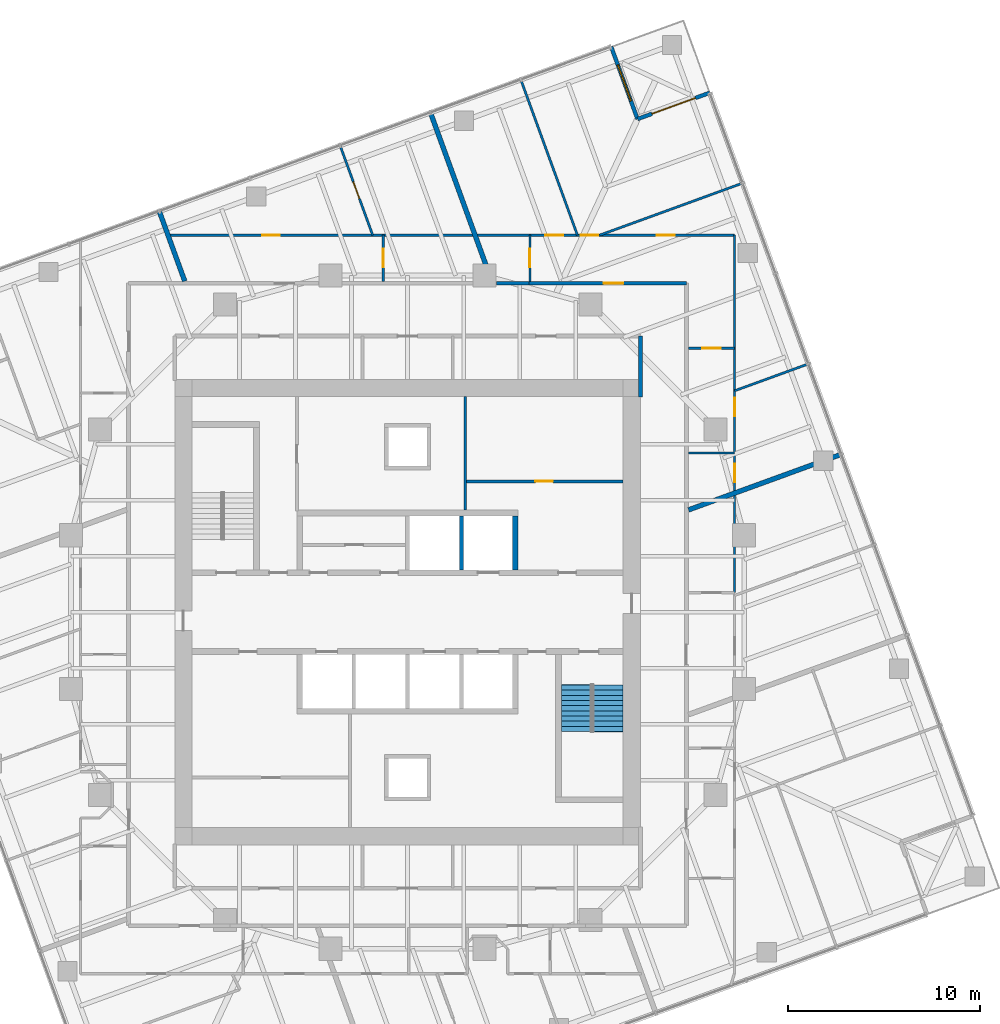
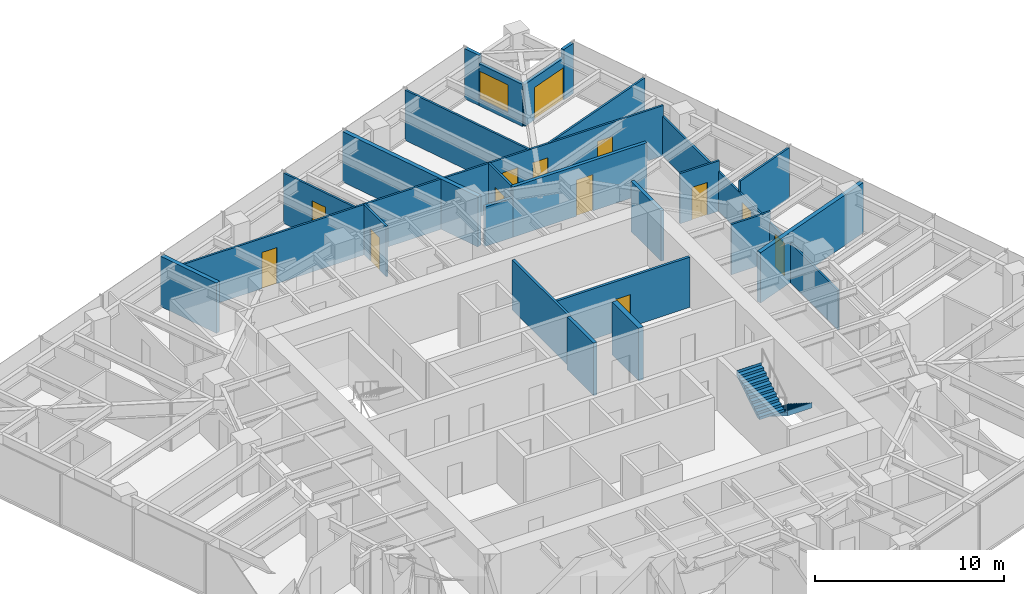
# One storey, part 11 of 13: 24 walls, 13 doors, 2 stair flights, 1 window, 14 openings, 1 element without a shape of its own.
"""IFC4 building model written with IfcOpenShell, lengths in metres."""

from ifc_helpers import new_model, si_unit, direction, frame, frame_2d, origin, place, context, subcontext, project, spatial, polyline, rectangle, outline, extrude, material, layer, layer_set, type_object, element, fill, aggregate, save


model = new_model("IFC4")

# Units and contexts
model_context = context("Model", 3, precision=1e-05, world=origin(), true_north=direction((0.0, 1.0)))
body_context = subcontext(model_context, "Body", "Model", "MODEL_VIEW")
ifc_project = project(units=[si_unit("LENGTHUNIT", "METRE"), si_unit("AREAUNIT", "SQUARE_METRE"), si_unit("VOLUMEUNIT", "CUBIC_METRE"), si_unit("PLANEANGLEUNIT", "RADIAN"), si_unit("MASSUNIT", "GRAM", prefix="KILO")], contexts=[model_context])

# Site, building, storey
site_placement = place(None, origin())
site = spatial("IfcSite", under=ifc_project, at=site_placement, CompositionType="ELEMENT")
building_placement = place(site_placement, origin())
building = spatial("IfcBuilding", under=site, at=building_placement, Name="Torsade Residences", CompositionType="ELEMENT")
storey_placement = place(building_placement, frame((0.0, 0.0, 157.39990234375)))
storey = spatial("IfcBuildingStorey", under=building, at=storey_placement, Name="L43", CompositionType="ELEMENT", Elevation=157.39990234375)

# Wall
ifc_material_1 = material(Name="Concrete 80 MPa", Category="concrete")
ifc_layer_1 = layer(ifc_material_1, 0.300048828125)
ifc_layer_set_1 = layer_set([ifc_layer_1], Name="Concrete 80 MPa")
wall_type_1 = type_object("IfcWallType", Name="CORE INTERNAL WALL 300", PredefinedType="SHEAR", material=ifc_layer_set_1)
wall_1_placement = place(storey_placement, frame((45.60009765625, 32.199951171875, 0.0), z_axis=(0.0, 0.0, 1.0), x_axis=(0.0, 1.0, 0.0)))
element("IfcWall", 1, at=wall_1_placement, inside=storey, type_object=wall_type_1, Name="Core wall DN4 L43", PredefinedType="SHEAR", context=body_context, shape_type="SweptSolid", body=[
    extrude(rectangle(XDim=2.800048828125, YDim=0.300048828125, at=frame_2d((1.39990234375, 0.0))), origin(), (0.0, 0.0, 1.0), 3.400146484375),
])

# Wall, opening, door
ifc_material_2 = material(Name="Plasterboard on steel stud", Category="steel")
ifc_layer_2 = layer(ifc_material_2, 0.199951171875)
ifc_layer_set_2 = layer_set([ifc_layer_2], Name="Plasterboard on steel stud")
wall_type_2 = type_object("IfcWallType", Name="CORRIDOR WALL 200", PredefinedType="PARTITIONING", material=ifc_layer_set_2)
wall_2_placement = place(storey_placement, frame((54.5, 47.10009765625, 0.0), z_axis=(0.0, 0.0, 1.0), x_axis=(-1.0, 0.0, 0.0)))
wall_2 = element("IfcWall", 2, at=wall_2_placement, inside=storey, type_object=wall_type_2, Name="Corridor wall L43", PredefinedType="PARTITIONING", context=body_context, shape_type="SweptSolid", body=[
    extrude(rectangle(XDim=8.191650390625, YDim=0.199951171875, at=frame_2d((4.095703125, 0.0))), origin(), (0.0, 0.0, 1.0), 3.25),
])
opening_1_placement = place(wall_2_placement, frame((3.28466796875, 0.0, 0.0)))
opening_1 = element("IfcOpeningElement", 3, at=opening_1_placement, cuts=wall_2, Name="Opening D01", PredefinedType="OPENING", context=body_context, shape_type="SweptSolid", body=[
    extrude(rectangle(XDim=1.02001953125, YDim=2.340087890625, at=frame_2d((0.510009765625, 1.169921875))), frame((0.0, 0.10986328125, 0.0), z_axis=(0.0, -1.0, 0.0), x_axis=(1.0, 0.0, 0.0)), (0.0, 0.0, 1.0), 0.219970703125),
])
ifc_material_3 = material(Name="Solid-core timber fire door", Category="wood")
door_type_1 = type_object("IfcDoorType", Name="APARTMENT ENTRY DOOR 1020x2340", OperationType="NOTDEFINED", PredefinedType="DOOR", material=ifc_material_3)
door_1_placement = place(opening_1_placement, origin())
door_1 = element("IfcDoor", 4, at=door_1_placement, inside=storey, type_object=door_type_1, Name="Door Residential corridor to Kitchen and dining", OperationType="SINGLE_SWING_RIGHT", OverallHeight=2.340087890625, OverallWidth=1.02001953125, PredefinedType="DOOR", context=body_context, shape_type="SweptSolid", body=[
    extrude(rectangle(XDim=1.02001953125, YDim=2.340087890625, at=frame_2d((0.510009765625, 1.169921875))), frame((0.0, 0.02490234375, 0.0), z_axis=(0.0, -1.0, 0.0), x_axis=(1.0, 0.0, 0.0)), (0.0, 0.0, 1.0), 0.050048828125),
])
fill(opening_1, door_1)

# Walls
wall_3_placement = place(storey_placement, frame((46.308349609375, 47.10009765625, 0.0), z_axis=(0.0, 0.0, 1.0), x_axis=(-1.0, 0.0, 0.0)))
element("IfcWall", 5, at=wall_3_placement, inside=storey, type_object=wall_type_2, Name="Corridor wall L43", PredefinedType="PARTITIONING", context=body_context, shape_type="SweptSolid", body=[
    extrude(rectangle(XDim=1.683349609375, YDim=0.199951171875, at=frame_2d((0.841796875, 0.0))), origin(), (0.0, 0.0, 1.0), 2.550048828125),
])
wall_4_placement = place(storey_placement, frame((52.10009765625, 41.179931640625, 0.0), z_axis=(0.0, 0.0, 1.0), x_axis=(0.0, 1.0, 0.0)))
element("IfcWall", 6, at=wall_4_placement, inside=storey, type_object=wall_type_2, Name="Corridor wall L43", PredefinedType="PARTITIONING", context=body_context, shape_type="SweptSolid", body=[
    extrude(rectangle(XDim=3.170166015625, YDim=0.199951171875, at=frame_2d((1.5849609375, 0.0))), origin(), (0.0, 0.0, 1.0), 3.25),
])
ifc_material_4 = material(Name="Reinforced blockwork", Category="masonry")
ifc_layer_3 = layer(ifc_material_4, 0.199951171875)
ifc_layer_set_3 = layer_set([ifc_layer_3], Name="Reinforced blockwork")
wall_type_3 = type_object("IfcWallType", Name="LIFT SHAFT DIVIDING WALL 200", PredefinedType="SOLIDWALL", material=ifc_layer_set_3)
wall_5_placement = place(storey_placement, frame((42.800048828125, 32.199951171875, 0.0), z_axis=(0.0, 0.0, 1.0), x_axis=(0.0, 1.0, 0.0)))
element("IfcWall", 7, at=wall_5_placement, inside=storey, type_object=wall_type_3, Name="Core wall DN3 L43", PredefinedType="SOLIDWALL", context=body_context, shape_type="SweptSolid", body=[
    extrude(rectangle(XDim=2.800048828125, YDim=0.199951171875, at=frame_2d((1.39990234375, 0.0))), origin(), (0.0, 0.0, 1.0), 3.400146484375),
])

# Wall, openings, doors
ifc_material_5 = material(Name="Plasterboard on steel stud", Category="steel")
ifc_layer_4 = layer(ifc_material_5, 0.1201171875)
ifc_layer_set_4 = layer_set([ifc_layer_4], Name="Plasterboard on steel stud")
wall_type_4 = type_object("IfcWallType", Name="PARTITION 120", PredefinedType="PARTITIONING", material=ifc_layer_set_4)
wall_6_placement = place(storey_placement, frame((57.0, 49.60009765625, 0.0), z_axis=(0.0, 0.0, 1.0), x_axis=(0.0, -1.0, 0.0)))
wall_6 = element("IfcWall", 8, at=wall_6_placement, inside=storey, type_object=wall_type_4, Name="Partition L43", PredefinedType="PARTITIONING", context=body_context, shape_type="SweptSolid", body=[
    extrude(rectangle(XDim=18.588623046875, YDim=0.1201171875, at=frame_2d((9.29443359375, 0.0))), origin(), (0.0, 0.0, 1.0), 2.550048828125),
])
opening_2_placement = place(wall_6_placement, frame((8.45166015625, 0.0, 0.0)))
opening_2 = element("IfcOpeningElement", 9, at=opening_2_placement, cuts=wall_6, Name="Opening D05", PredefinedType="OPENING", context=body_context, shape_type="SweptSolid", body=[
    extrude(rectangle(XDim=0.9599609375, YDim=2.10009765625, at=frame_2d((0.47998046875, 1.050048828125))), frame((0.0, 0.070068359375, 0.0), z_axis=(0.0, -1.0, 0.0), x_axis=(1.0, 0.0, 0.0)), (0.0, 0.0, 1.0), 0.14013671875),
])
opening_3_placement = place(wall_6_placement, frame((11.888671875, 0.0, 0.0)))
opening_3 = element("IfcOpeningElement", 10, at=opening_3_placement, cuts=wall_6, Name="Opening D05", PredefinedType="OPENING", context=body_context, shape_type="SweptSolid", body=[
    extrude(rectangle(XDim=0.9599609375, YDim=2.10009765625, at=frame_2d((0.47998046875, 1.050048828125))), frame((0.0, 0.070068359375, 0.0), z_axis=(0.0, -1.0, 0.0), x_axis=(1.0, 0.0, 0.0)), (0.0, 0.0, 1.0), 0.14013671875),
])
ifc_material_6 = material(Name="Hollow-core timber door in a steel cavity frame", Category="steel")
door_type_2 = type_object("IfcDoorType", Name="BATHROOM CAVITY SLIDING DOOR 960", OperationType="SLIDING_TO_LEFT", PredefinedType="DOOR", material=ifc_material_6)
door_2_placement = place(opening_2_placement, origin())
door_2 = element("IfcDoor", 11, at=door_2_placement, inside=storey, type_object=door_type_2, Name="Door Bathroom to Bedroom 3", OperationType="SLIDING_TO_LEFT", OverallHeight=2.10009765625, OverallWidth=0.9599609375, PredefinedType="DOOR", context=body_context, shape_type="SweptSolid", body=[
    extrude(rectangle(XDim=0.9599609375, YDim=2.10009765625, at=frame_2d((0.47998046875, 1.050048828125))), frame((0.0, 0.02490234375, 0.0), z_axis=(0.0, -1.0, 0.0), x_axis=(1.0, 0.0, 0.0)), (0.0, 0.0, 1.0), 0.050048828125),
])
fill(opening_2, door_2)
door_3_placement = place(opening_3_placement, origin())
door_3 = element("IfcDoor", 12, at=door_3_placement, inside=storey, type_object=door_type_2, Name="Door Bedroom 3 to Ensuite", OperationType="SLIDING_TO_LEFT", OverallHeight=2.10009765625, OverallWidth=0.9599609375, PredefinedType="DOOR", context=body_context, shape_type="SweptSolid", body=[
    extrude(rectangle(XDim=0.9599609375, YDim=2.10009765625, at=frame_2d((0.47998046875, 1.050048828125))), frame((0.0, 0.02490234375, 0.0), z_axis=(0.0, -1.0, 0.0), x_axis=(1.0, 0.0, 0.0)), (0.0, 0.0, 1.0), 0.050048828125),
])
fill(opening_3, door_3)

# Wall, opening, door
wall_7_placement = place(storey_placement, frame((57.0, 43.712158203125, 0.0), z_axis=(0.0, 0.0, 1.0), x_axis=(-1.0, 0.0, 0.0)))
wall_7 = element("IfcWall", 13, at=wall_7_placement, inside=storey, type_object=wall_type_4, Name="Partition L43", PredefinedType="PARTITIONING", context=body_context, shape_type="SweptSolid", body=[
    extrude(rectangle(XDim=2.39990234375, YDim=0.1201171875, at=frame_2d((1.199951171875, 0.0))), origin(), (0.0, 0.0, 1.0), 3.25),
])
opening_4_placement = place(wall_7_placement, frame((0.719970703125, 0.0, 0.0)))
opening_4 = element("IfcOpeningElement", 14, at=opening_4_placement, cuts=wall_7, Name="Opening D05", PredefinedType="OPENING", context=body_context, shape_type="SweptSolid", body=[
    extrude(rectangle(XDim=0.9599609375, YDim=2.10009765625, at=frame_2d((0.47998046875, 1.050048828125))), frame((0.0, 0.070068359375, 0.0), z_axis=(0.0, -1.0, 0.0), x_axis=(1.0, 0.0, 0.0)), (0.0, 0.0, 1.0), 0.14013671875),
])
door_4_placement = place(opening_4_placement, origin())
door_4 = element("IfcDoor", 15, at=door_4_placement, inside=storey, type_object=door_type_2, Name="Door Kitchen and dining to Bathroom", OperationType="SLIDING_TO_LEFT", OverallHeight=2.10009765625, OverallWidth=0.9599609375, PredefinedType="DOOR", context=body_context, shape_type="SweptSolid", body=[
    extrude(rectangle(XDim=0.9599609375, YDim=2.10009765625, at=frame_2d((0.47998046875, 1.050048828125))), frame((0.0, 0.02490234375, 0.0), z_axis=(0.0, -1.0, 0.0), x_axis=(1.0, 0.0, 0.0)), (0.0, 0.0, 1.0), 0.050048828125),
])
fill(opening_4, door_4)

wall_8_placement = place(storey_placement, frame((46.360595703125, 47.199951171875, 0.0), z_axis=(0.0, 0.0, 1.0), x_axis=(0.0, 1.0, 0.0)))
wall_8 = element("IfcWall", 16, at=wall_8_placement, inside=storey, type_object=wall_type_4, Name="Partition L43", PredefinedType="PARTITIONING", context=body_context, shape_type="SweptSolid", body=[
    extrude(rectangle(XDim=2.400146484375, YDim=0.1201171875, at=frame_2d((1.2001953125, 0.0))), origin(), (0.0, 0.0, 1.0), 3.25),
])
opening_5_placement = place(wall_8_placement, frame((0.719970703125, 0.0, 0.0)))
opening_5 = element("IfcOpeningElement", 17, at=opening_5_placement, cuts=wall_8, Name="Opening D05", PredefinedType="OPENING", context=body_context, shape_type="SweptSolid", body=[
    extrude(rectangle(XDim=0.9599609375, YDim=2.10009765625, at=frame_2d((0.47998046875, 1.050048828125))), frame((0.0, 0.070068359375, 0.0), z_axis=(0.0, -1.0, 0.0), x_axis=(1.0, 0.0, 0.0)), (0.0, 0.0, 1.0), 0.14013671875),
])
door_5_placement = place(opening_5_placement, origin())
door_5 = element("IfcDoor", 18, at=door_5_placement, inside=storey, type_object=door_type_2, Name="Door Kitchen and dining to Laundry", OperationType="SLIDING_TO_LEFT", OverallHeight=2.10009765625, OverallWidth=0.9599609375, PredefinedType="DOOR", context=body_context, shape_type="SweptSolid", body=[
    extrude(rectangle(XDim=0.9599609375, YDim=2.10009765625, at=frame_2d((0.47998046875, 1.050048828125))), frame((0.0, 0.02490234375, 0.0), z_axis=(0.0, -1.0, 0.0), x_axis=(1.0, 0.0, 0.0)), (0.0, 0.0, 1.0), 0.050048828125),
])
fill(opening_5, door_5)

# Wall, openings, doors
wall_9_placement = place(storey_placement, frame((27.54541015625, 49.60009765625, 0.0), z_axis=(0.0, 0.0, 1.0), x_axis=(1.0, 0.0, 0.0)))
wall_9 = element("IfcWall", 19, at=wall_9_placement, inside=storey, type_object=wall_type_4, Name="Partition L43", PredefinedType="PARTITIONING", context=body_context, shape_type="SweptSolid", body=[
    extrude(rectangle(XDim=29.45458984375, YDim=0.1201171875, at=frame_2d((14.727294921875, 0.0))), origin(), (0.0, 0.0, 1.0), 3.25),
])
opening_6_placement = place(wall_9_placement, frame((4.887451171875, 0.0, 0.0)))
opening_6 = element("IfcOpeningElement", 20, at=opening_6_placement, cuts=wall_9, Name="Opening D02", PredefinedType="OPENING", context=body_context, shape_type="SweptSolid", body=[
    extrude(rectangle(XDim=0.919921875, YDim=2.340087890625, at=frame_2d((0.4599609375, 1.169921875))), frame((0.0, 0.070068359375, 0.0), z_axis=(0.0, -1.0, 0.0), x_axis=(1.0, 0.0, 0.0)), (0.0, 0.0, 1.0), 0.14013671875),
])
opening_7_placement = place(wall_9_placement, frame((25.418212890625, 0.0, 0.0)))
opening_7 = element("IfcOpeningElement", 21, at=opening_7_placement, cuts=wall_9, Name="Opening D02", PredefinedType="OPENING", context=body_context, shape_type="SweptSolid", body=[
    extrude(rectangle(XDim=0.919921875, YDim=2.340087890625, at=frame_2d((0.4599609375, 1.169921875))), frame((0.0, 0.070068359375, 0.0), z_axis=(0.0, -1.0, 0.0), x_axis=(1.0, 0.0, 0.0)), (0.0, 0.0, 1.0), 0.14013671875),
])
opening_8_placement = place(wall_9_placement, frame((19.615966796875, 0.0, 0.0)))
opening_8 = element("IfcOpeningElement", 22, at=opening_8_placement, cuts=wall_9, Name="Opening D02", PredefinedType="OPENING", context=body_context, shape_type="SweptSolid", body=[
    extrude(rectangle(XDim=0.919921875, YDim=2.340087890625, at=frame_2d((0.4599609375, 1.169921875))), frame((0.0, 0.070068359375, 0.0), z_axis=(0.0, -1.0, 0.0), x_axis=(1.0, 0.0, 0.0)), (0.0, 0.0, 1.0), 0.14013671875),
])
opening_9_placement = place(wall_9_placement, frame((21.452392578125, 0.0, 0.0)))
opening_9 = element("IfcOpeningElement", 23, at=opening_9_placement, cuts=wall_9, Name="Opening D02", PredefinedType="OPENING", context=body_context, shape_type="SweptSolid", body=[
    extrude(rectangle(XDim=0.919921875, YDim=2.340087890625, at=frame_2d((0.4599609375, 1.169921875))), frame((0.0, 0.070068359375, 0.0), z_axis=(0.0, -1.0, 0.0), x_axis=(1.0, 0.0, 0.0)), (0.0, 0.0, 1.0), 0.14013671875),
])
ifc_material_7 = material(Name="Hollow-core timber door", Category="wood")
door_type_3 = type_object("IfcDoorType", Name="INTERNAL DOOR 920x2340", OperationType="NOTDEFINED", PredefinedType="DOOR", material=ifc_material_7)
door_6_placement = place(opening_6_placement, origin())
door_6 = element("IfcDoor", 24, at=door_6_placement, inside=storey, type_object=door_type_3, Name="Door Kitchen and dining to Living room", OperationType="SINGLE_SWING_RIGHT", OverallHeight=2.340087890625, OverallWidth=0.919921875, PredefinedType="DOOR", context=body_context, shape_type="SweptSolid", body=[
    extrude(rectangle(XDim=0.919921875, YDim=2.340087890625, at=frame_2d((0.4599609375, 1.169921875))), frame((0.0, 0.02490234375, 0.0), z_axis=(0.0, -1.0, 0.0), x_axis=(1.0, 0.0, 0.0)), (0.0, 0.0, 1.0), 0.050048828125),
])
fill(opening_6, door_6)
door_7_placement = place(opening_7_placement, origin())
door_7 = element("IfcDoor", 25, at=door_7_placement, inside=storey, type_object=door_type_3, Name="Door Kitchen and dining to Bedroom 2", OperationType="SINGLE_SWING_LEFT", OverallHeight=2.340087890625, OverallWidth=0.919921875, PredefinedType="DOOR", context=body_context, shape_type="SweptSolid", body=[
    extrude(rectangle(XDim=0.919921875, YDim=2.340087890625, at=frame_2d((0.4599609375, 1.169921875))), frame((0.0, 0.02490234375, 0.0), z_axis=(0.0, -1.0, 0.0), x_axis=(1.0, 0.0, 0.0)), (0.0, 0.0, 1.0), 0.050048828125),
])
fill(opening_7, door_7)
door_8_placement = place(opening_8_placement, origin())
door_8 = element("IfcDoor", 26, at=door_8_placement, inside=storey, type_object=door_type_3, Name="Door Kitchen and dining to Bedroom 1", OperationType="SINGLE_SWING_RIGHT", OverallHeight=2.340087890625, OverallWidth=0.919921875, PredefinedType="DOOR", context=body_context, shape_type="SweptSolid", body=[
    extrude(rectangle(XDim=0.919921875, YDim=2.340087890625, at=frame_2d((0.4599609375, 1.169921875))), frame((0.0, 0.02490234375, 0.0), z_axis=(0.0, -1.0, 0.0), x_axis=(1.0, 0.0, 0.0)), (0.0, 0.0, 1.0), 0.050048828125),
])
fill(opening_8, door_8)
door_9_placement = place(opening_9_placement, origin())
door_9 = element("IfcDoor", 27, at=door_9_placement, inside=storey, type_object=door_type_3, Name="Door Kitchen and dining to Living room", OperationType="SINGLE_SWING_LEFT", OverallHeight=2.340087890625, OverallWidth=0.919921875, PredefinedType="DOOR", context=body_context, shape_type="SweptSolid", body=[
    extrude(rectangle(XDim=0.919921875, YDim=2.340087890625, at=frame_2d((0.4599609375, 1.169921875))), frame((0.0, 0.02490234375, 0.0), z_axis=(0.0, -1.0, 0.0), x_axis=(1.0, 0.0, 0.0)), (0.0, 0.0, 1.0), 0.050048828125),
])
fill(opening_9, door_9)

# Walls
wall_10_placement = place(storey_placement, frame((57.0, 38.27490234375, 0.0), z_axis=(0.0, 0.0, 1.0), x_axis=(-1.0, 0.0, 0.0)))
element("IfcWall", 28, at=wall_10_placement, inside=storey, type_object=wall_type_4, Name="Partition L43", PredefinedType="PARTITIONING", context=body_context, shape_type="SweptSolid", body=[
    extrude(rectangle(XDim=2.39990234375, YDim=0.1201171875, at=frame_2d((1.199951171875, 0.0))), origin(), (0.0, 0.0, 1.0), 3.25),
])
wall_11_placement = place(storey_placement, frame((48.828857421875, 49.60009765625, 0.0), z_axis=(0.0, 0.0, 1.0), x_axis=(-0.34202238111, 0.939691806296, 0.0)))
element("IfcWall", 29, at=wall_11_placement, inside=storey, type_object=wall_type_4, Name="Partition L43", PredefinedType="PARTITIONING", context=body_context, shape_type="SweptSolid", body=[
    extrude(rectangle(XDim=8.5615234375, YDim=0.1201171875, at=frame_2d((4.28076171875, 0.0))), origin(), (0.0, 0.0, 1.0), 3.25),
])
wall_12_placement = place(storey_placement, frame((57.384765625, 52.290283203125, 0.0), z_axis=(0.0, 0.0, 1.0), x_axis=(-0.939694604347, -0.342014693486, 0.0)))
element("IfcWall", 30, at=wall_12_placement, inside=storey, type_object=wall_type_4, Name="Partition L43", PredefinedType="PARTITIONING", context=body_context, shape_type="SweptSolid", body=[
    extrude(rectangle(XDim=7.86572265625, YDim=0.1201171875, at=frame_2d((3.932861328125, 0.0))), origin(), (0.0, 0.0, 1.0), 3.25),
])
wall_13_placement = place(storey_placement, frame((60.804931640625, 42.893310546875, 0.0), z_axis=(0.0, 0.0, 1.0), x_axis=(-0.939682468191, -0.342048036063, 0.0)))
element("IfcWall", 31, at=wall_13_placement, inside=storey, type_object=wall_type_4, Name="Partition L43", PredefinedType="PARTITIONING", context=body_context, shape_type="SweptSolid", body=[
    extrude(rectangle(XDim=4.049072265625, YDim=0.1201171875, at=frame_2d((2.0244140625, 0.0))), origin(), (0.0, 0.0, 1.0), 3.25),
])

# Wall, opening, door
wall_14_placement = place(storey_placement, frame((38.7412109375, 49.60009765625, 0.0), z_axis=(0.0, 0.0, 1.0), x_axis=(0.0, -1.0, 0.0)))
wall_14 = element("IfcWall", 32, at=wall_14_placement, inside=storey, type_object=wall_type_4, Name="Partition L43", PredefinedType="PARTITIONING", context=body_context, shape_type="SweptSolid", body=[
    extrude(rectangle(XDim=2.400146484375, YDim=0.1201171875, at=frame_2d((1.2001953125, 0.0))), origin(), (0.0, 0.0, 1.0), 3.25),
])
opening_10_placement = place(wall_14_placement, frame((0.719970703125, 0.0, 0.0)))
opening_10 = element("IfcOpeningElement", 33, at=opening_10_placement, cuts=wall_14, Name="Opening D05", PredefinedType="OPENING", context=body_context, shape_type="SweptSolid", body=[
    extrude(rectangle(XDim=0.9599609375, YDim=2.10009765625, at=frame_2d((0.47998046875, 1.050048828125))), frame((0.0, 0.070068359375, 0.0), z_axis=(0.0, -1.0, 0.0), x_axis=(1.0, 0.0, 0.0)), (0.0, 0.0, 1.0), 0.14013671875),
])
door_10_placement = place(opening_10_placement, origin())
door_10 = element("IfcDoor", 34, at=door_10_placement, inside=storey, type_object=door_type_2, Name="Door Kitchen and dining to Bathroom", OperationType="SLIDING_TO_LEFT", OverallHeight=2.10009765625, OverallWidth=0.9599609375, PredefinedType="DOOR", context=body_context, shape_type="SweptSolid", body=[
    extrude(rectangle(XDim=0.9599609375, YDim=2.10009765625, at=frame_2d((0.47998046875, 1.050048828125))), frame((0.0, 0.02490234375, 0.0), z_axis=(0.0, -1.0, 0.0), x_axis=(1.0, 0.0, 0.0)), (0.0, 0.0, 1.0), 0.050048828125),
])
fill(opening_10, door_10)

wall_15_placement = place(storey_placement, frame((36.503662109375, 54.22509765625, 0.0), z_axis=(0.0, 0.0, 1.0), x_axis=(0.342017860496, -0.939693451665, 0.0)))
wall_15 = element("IfcWall", 35, at=wall_15_placement, inside=storey, type_object=wall_type_4, Name="Partition L43", PredefinedType="PARTITIONING", context=body_context, shape_type="SweptSolid", body=[
    extrude(rectangle(XDim=4.921875, YDim=0.1201171875, at=frame_2d((2.4609375, 0.0))), origin(), (0.0, 0.0, 1.0), 3.25),
])
opening_11_placement = place(wall_15_placement, frame((1.98095703125, 0.0, 0.0)))
opening_11 = element("IfcOpeningElement", 36, at=opening_11_placement, cuts=wall_15, Name="Opening D02", PredefinedType="OPENING", context=body_context, shape_type="SweptSolid", body=[
    extrude(rectangle(XDim=0.919921875, YDim=2.340087890625, at=frame_2d((0.4599609375, 1.169921875))), frame((0.0, 0.070068359375, 0.0), z_axis=(0.0, -1.0, 0.0), x_axis=(1.0, 0.0, 0.0)), (0.0, 0.0, 1.0), 0.14013671875),
])
door_11_placement = place(opening_11_placement, origin())
door_11 = element("IfcDoor", 37, at=door_11_placement, inside=storey, type_object=door_type_3, Name="Door Living room to Bedroom 1", OperationType="SINGLE_SWING_RIGHT", OverallHeight=2.340087890625, OverallWidth=0.919921875, PredefinedType="DOOR", context=body_context, shape_type="SweptSolid", body=[
    extrude(rectangle(XDim=0.919921875, YDim=2.340087890625, at=frame_2d((0.4599609375, 1.169921875))), frame((0.0, 0.02490234375, 0.0), z_axis=(0.0, -1.0, 0.0), x_axis=(1.0, 0.0, 0.0)), (0.0, 0.0, 1.0), 0.050048828125),
])
fill(opening_11, door_11)

# Walls
ifc_material_8 = material(Name="Masonry-lined stud party wall", Category="masonry")
ifc_layer_5 = layer(ifc_material_8, 0.25)
ifc_layer_set_5 = layer_set([ifc_layer_5], Name="Masonry-lined stud party wall")
wall_type_5 = type_object("IfcWallType", Name="PARTY WALL 250", PredefinedType="PARTITIONING", material=ifc_layer_set_5)
wall_16_placement = place(storey_placement, frame((62.552734375, 38.20849609375, 0.0), z_axis=(0.0, 0.0, 1.0), x_axis=(-0.939695617736, -0.342011909161, 0.0)))
element("IfcWall", 38, at=wall_16_placement, inside=storey, type_object=wall_type_5, Name="Party wall L43", PredefinedType="PARTITIONING", context=body_context, shape_type="SweptSolid", body=[
    extrude(rectangle(XDim=8.45751953125, YDim=0.25, at=frame_2d((4.228759765625, 0.0))), origin(), (0.0, 0.0, 1.0), 3.25),
])
wall_17_placement = place(storey_placement, frame((41.1884765625, 55.972900390625, 0.0), z_axis=(0.0, 0.0, 1.0), x_axis=(0.342014066156, -0.939694832673, 0.0)))
element("IfcWall", 39, at=wall_17_placement, inside=storey, type_object=wall_type_5, Name="Party wall L43", PredefinedType="PARTITIONING", context=body_context, shape_type="SweptSolid", body=[
    extrude(rectangle(XDim=9.33056640625, YDim=0.25, at=frame_2d((4.665283203125, 0.0))), origin(), (0.0, 0.0, 1.0), 3.25),
])
wall_18_placement = place(storey_placement, frame((27.093017578125, 50.842529296875, 0.0), z_axis=(0.0, 0.0, 1.0), x_axis=(0.342031698406, -0.939688415, 0.0)))
element("IfcWall", 40, at=wall_18_placement, inside=storey, type_object=wall_type_5, Name="Party wall L43", PredefinedType="PARTITIONING", context=body_context, shape_type="SweptSolid", body=[
    extrude(rectangle(XDim=3.870849609375, YDim=0.25, at=frame_2d((1.935546875, 0.0))), origin(), (0.0, 0.0, 1.0), 3.25),
])
ifc_material_9 = material(Name="Reinforced blockwork", Category="masonry")
ifc_layer_6 = layer(ifc_material_9, 0.14990234375)
ifc_layer_set_6 = layer_set([ifc_layer_6], Name="Reinforced blockwork")
wall_type_6 = type_object("IfcWallType", Name="SERVICE ROOM WALL 150", PredefinedType="SOLIDWALL", material=ifc_layer_set_6)
wall_19_placement = place(storey_placement, frame((43.0, 41.199951171875, 0.0), z_axis=(0.0, 0.0, 1.0), x_axis=(0.0, -1.0, 0.0)))
element("IfcWall", 41, at=wall_19_placement, inside=storey, type_object=wall_type_6, Name="Service room wall L43", PredefinedType="SOLIDWALL", context=body_context, shape_type="SweptSolid", body=[
    extrude(rectangle(XDim=5.89990234375, YDim=0.14990234375, at=frame_2d((2.949951171875, 0.0))), origin(), (0.0, 0.0, 1.0), 3.25),
])

# Wall, opening, door
wall_20_placement = place(storey_placement, frame((43.0, 36.800048828125, 0.0), z_axis=(0.0, 0.0, 1.0), x_axis=(1.0, 0.0, 0.0)))
wall_20 = element("IfcWall", 42, at=wall_20_placement, inside=storey, type_object=wall_type_6, Name="Service room wall L43", PredefinedType="SOLIDWALL", context=body_context, shape_type="SweptSolid", body=[
    extrude(rectangle(XDim=8.199951171875, YDim=0.14990234375, at=frame_2d((4.10009765625, 0.0))), origin(), (0.0, 0.0, 1.0), 3.25),
])
opening_12_placement = place(wall_20_placement, frame((3.639892578125, 0.0, 0.0)))
opening_12 = element("IfcOpeningElement", 43, at=opening_12_placement, cuts=wall_20, Name="Opening D06", PredefinedType="OPENING", context=body_context, shape_type="SweptSolid", body=[
    extrude(rectangle(XDim=0.919921875, YDim=2.10009765625, at=frame_2d((0.4599609375, 1.050048828125))), frame((0.0, 0.0849609375, 0.0), z_axis=(0.0, -1.0, 0.0), x_axis=(1.0, 0.0, 0.0)), (0.0, 0.0, 1.0), 0.169921875),
])
ifc_material_10 = material(Name="Steel-framed fire door", Category="steel")
door_type_4 = type_object("IfcDoorType", Name="FIRE DOOR 920", OperationType="NOTDEFINED", PredefinedType="DOOR", material=ifc_material_10)
door_12_placement = place(opening_12_placement, origin())
door_12 = element("IfcDoor", 44, at=door_12_placement, inside=storey, type_object=door_type_4, Name="Door Refuse room to Linen store", OperationType="SINGLE_SWING_LEFT", OverallHeight=2.10009765625, OverallWidth=0.919921875, PredefinedType="DOOR", context=body_context, shape_type="SweptSolid", body=[
    extrude(rectangle(XDim=0.919921875, YDim=2.10009765625, at=frame_2d((0.4599609375, 1.050048828125))), frame((0.0, 0.02490234375, 0.0), z_axis=(0.0, -1.0, 0.0), x_axis=(1.0, 0.0, 0.0)), (0.0, 0.0, 1.0), 0.050048828125),
])
fill(opening_12, door_12)

# Wall
ifc_material_11 = material(Name="Stone-faced precast concrete 40 MPa panel", Category="masonry")
ifc_layer_7 = layer(ifc_material_11, 0.199951171875)
ifc_layer_set_7 = layer_set([ifc_layer_7], Name="Stone-faced precast concrete 40 MPa panel")
wall_type_7 = type_object("IfcWallType", Name="TERRACE WALL 200", PredefinedType="SOLIDWALL", material=ifc_layer_set_7)
wall_21_placement = place(storey_placement, frame((55.712158203125, 57.00244140625, 0.0), z_axis=(0.0, 0.0, 1.0), x_axis=(-0.939659694648, -0.342110593602, 0.0)))
element("IfcWall", 45, at=wall_21_placement, inside=storey, type_object=wall_type_7, Name="Terrace wall L43 5", PredefinedType="SOLIDWALL", context=body_context, shape_type="SweptSolid", body=[
    extrude(rectangle(XDim=0.800048828125, YDim=0.199951171875, at=frame_2d((0.39990234375, 0.0))), origin(), (0.0, 0.0, 1.0), 3.25),
])

# Wall, opening, door
wall_22_placement = place(storey_placement, frame((54.96044921875, 56.728759765625, 0.0), z_axis=(0.0, 0.0, 1.0), x_axis=(-0.939693144909, -0.342018703306, 0.0)))
wall_22 = element("IfcWall", 46, at=wall_22_placement, inside=storey, type_object=wall_type_7, Name="Terrace wall L43 5", PredefinedType="SOLIDWALL", context=body_context, shape_type="SweptSolid", body=[
    extrude(rectangle(XDim=3.199951171875, YDim=0.199951171875, at=frame_2d((1.60009765625, 0.0))), origin(), (0.0, 0.0, 1.0), 2.72216796875),
])
opening_13_placement = place(wall_22_placement, origin())
opening_13 = element("IfcOpeningElement", 47, at=opening_13_placement, cuts=wall_22, Name="Opening D10A", PredefinedType="OPENING", context=body_context, shape_type="SweptSolid", body=[
    extrude(rectangle(XDim=2.39990234375, YDim=2.10009765625, at=frame_2d((1.199951171875, 1.050048828125))), frame((0.0, 0.10986328125, 0.0), z_axis=(0.0, -1.0, 0.0), x_axis=(1.0, 0.0, 0.0)), (0.0, 0.0, 1.0), 0.219970703125),
])
ifc_material_12 = material(Name="Aluminium-framed glass door", Category="aluminium")
door_type_5 = type_object("IfcDoorType", Name="TERRACE SLIDING DOOR 2400x2100", OperationType="SLIDING_TO_LEFT", PredefinedType="DOOR", material=ifc_material_12)
door_13_placement = place(opening_13_placement, origin())
door_13 = element("IfcDoor", 48, at=door_13_placement, inside=storey, type_object=door_type_5, Name="Terrace door L43 5", OperationType="SLIDING_TO_LEFT", OverallHeight=2.10009765625, OverallWidth=2.39990234375, PredefinedType="DOOR", context=body_context, shape_type="SweptSolid", body=[
    extrude(rectangle(XDim=2.39990234375, YDim=2.10009765625, at=frame_2d((1.199951171875, 1.050048828125))), frame((0.0, 0.02490234375, 0.0), z_axis=(0.0, -1.0, 0.0), x_axis=(1.0, 0.0, 0.0)), (0.0, 0.0, 1.0), 0.050048828125),
])
fill(opening_13, door_13)

# Wall, opening, window
wall_23_placement = place(storey_placement, frame((51.953369140625, 55.63427734375, 0.0), z_axis=(0.0, 0.0, 1.0), x_axis=(-0.341965219194, 0.939712609717, 0.0)))
wall_23 = element("IfcWall", 49, at=wall_23_placement, inside=storey, type_object=wall_type_7, Name="Terrace wall L43 6", PredefinedType="SOLIDWALL", context=body_context, shape_type="SweptSolid", body=[
    extrude(rectangle(XDim=3.0, YDim=0.199951171875, at=frame_2d((1.5, 0.0))), origin(), (0.0, 0.0, 1.0), 2.72216796875),
])
opening_14_placement = place(wall_23_placement, frame((1.0, 0.0, 0.449951171875)))
opening_14 = element("IfcOpeningElement", 50, at=opening_14_placement, cuts=wall_23, Name="Opening W1B", PredefinedType="OPENING", context=body_context, shape_type="SweptSolid", body=[
    extrude(rectangle(XDim=2.0, YDim=1.800048828125, at=frame_2d((1.0, 0.89990234375))), frame((0.0, 0.10986328125, 0.0), z_axis=(0.0, -1.0, 0.0), x_axis=(1.0, 0.0, 0.0)), (0.0, 0.0, 1.0), 0.219970703125),
])
ifc_material_13 = material(Name="Aluminium-framed glass window", Category="aluminium")
window_type = type_object("IfcWindowType", Name="TERRACE WINDOW 2000x1800", PartitioningType="SINGLE_PANEL", PredefinedType="WINDOW", material=ifc_material_13)
window_placement = place(opening_14_placement, origin())
window = element("IfcWindow", 51, at=window_placement, inside=storey, type_object=window_type, Name="Terrace window L43 6", OverallHeight=1.800048828125, OverallWidth=2.0, PartitioningType="SINGLE_PANEL", PredefinedType="WINDOW", context=body_context, shape_type="SweptSolid", body=[
    extrude(rectangle(XDim=2.0, YDim=1.800048828125, at=frame_2d((1.0, 0.89990234375))), frame((0.0, 0.030029296875, 0.0), z_axis=(0.0, -1.0, 0.0), x_axis=(1.0, 0.0, 0.0)), (0.0, 0.0, 1.0), 0.06005859375),
])
fill(opening_14, window)

# Wall
wall_24_placement = place(storey_placement, frame((50.927490234375, 58.453369140625, 0.0), z_axis=(0.0, 0.0, 1.0), x_axis=(-0.342037080957, 0.939686455819, 0.0)))
element("IfcWall", 52, at=wall_24_placement, inside=storey, type_object=wall_type_7, Name="Terrace wall L43 6", PredefinedType="SOLIDWALL", context=body_context, shape_type="SweptSolid", body=[
    extrude(rectangle(XDim=1.0, YDim=0.199951171875, at=frame_2d((0.5, 0.0))), origin(), (0.0, 0.0, 1.0), 3.25),
])

# Stair, stair flights
ifc_material_14 = material(Name="Precast concrete 40 MPa", Category="concrete")
stair_type = type_object("IfcStairType", Name="HALF-TURN FIRE STAIR 1500x3400", PredefinedType="HALF_TURN_STAIR", material=ifc_material_14)
stair_placement = place(storey_placement, origin())
stair = element("IfcStair", 53, at=stair_placement, inside=storey, type_object=stair_type, Name="Stair ST2 L43", PredefinedType="HALF_TURN_STAIR")
ifc_material_15 = material(Name="Precast concrete 40 MPa", Category="concrete")
stair_flight_type = type_object("IfcStairFlightType", Name="PRECAST STAIR FLIGHT 1500x1700", PredefinedType="STRAIGHT", material=ifc_material_15)
stair_flight_1_placement = place(storey_placement, frame((50.449951171875, 26.219970703125, 0.0), z_axis=(0.0, 0.0, 1.0), x_axis=(0.0, -1.0, 0.0)))
stair_flight_1 = element("IfcStairFlight", 54, at=stair_flight_1_placement, type_object=stair_flight_type, Name="ST2 flight 1", NumberOfRisers=10, NumberOfTreads=9, PredefinedType="STRAIGHT", RiserHeight=0.17, TreadLength=0.27, context=body_context, shape_type="SweptSolid", body=[
    extrude(outline(polyline([(0.0, 0.0), (0.0, 0.169921875), (0.27001953125, 0.169921875), (0.27001953125, 0.340087890625), (0.5400390625, 0.340087890625), (0.5400390625, 0.510009765625), (0.81005859375, 0.510009765625), (0.81005859375, 0.679931640625), (1.080078125, 0.679931640625), (1.080078125, 0.85009765625), (1.35009765625, 0.85009765625), (1.35009765625, 1.02001953125), (1.6201171875, 1.02001953125), (1.6201171875, 1.18994140625), (1.889892578125, 1.18994140625), (1.889892578125, 1.360107421875), (2.159912109375, 1.360107421875), (2.159912109375, 1.530029296875), (2.429931640625, 1.530029296875), (2.429931640625, 1.699951171875), (2.43994140625, 1.699951171875), (2.43994140625, 1.352783203125), (2.429931640625, 1.352783203125), (0.28125, 0.0), (0.0, 0.0)])), frame((0.0, 0.75, 0.0), z_axis=(0.0, -1.0, 0.0), x_axis=(1.0, 0.0, 0.0)), (0.0, 0.0, 1.0), 1.5),
])
stair_flight_2_placement = place(storey_placement, frame((48.75, 23.7900390625, 1.7001953125), z_axis=(0.0, 0.0, 1.0), x_axis=(0.0, 1.0, 0.0)))
stair_flight_2 = element("IfcStairFlight", 55, at=stair_flight_2_placement, type_object=stair_flight_type, Name="ST2 flight 2", NumberOfRisers=10, NumberOfTreads=9, PredefinedType="STRAIGHT", RiserHeight=0.17, TreadLength=0.27, context=body_context, shape_type="SweptSolid", body=[
    extrude(outline(polyline([(0.0, 0.0), (0.0, 0.169921875), (0.27001953125, 0.169921875), (0.27001953125, 0.340087890625), (0.5400390625, 0.340087890625), (0.5400390625, 0.510009765625), (0.81005859375, 0.510009765625), (0.81005859375, 0.679931640625), (1.080078125, 0.679931640625), (1.080078125, 0.85009765625), (1.35009765625, 0.85009765625), (1.35009765625, 1.02001953125), (1.6201171875, 1.02001953125), (1.6201171875, 1.18994140625), (1.889892578125, 1.18994140625), (1.889892578125, 1.360107421875), (2.159912109375, 1.360107421875), (2.159912109375, 1.530029296875), (2.429931640625, 1.530029296875), (2.429931640625, 1.699951171875), (2.43994140625, 1.699951171875), (2.43994140625, 1.352783203125), (2.429931640625, 1.352783203125), (0.28125, 0.0), (0.0, 0.0)])), frame((0.0, 0.75, 0.0), z_axis=(0.0, -1.0, 0.0), x_axis=(1.0, 0.0, 0.0)), (0.0, 0.0, 1.0), 1.5),
])
aggregate(stair, [stair_flight_1, stair_flight_2])

save(model, "model.ifc")
